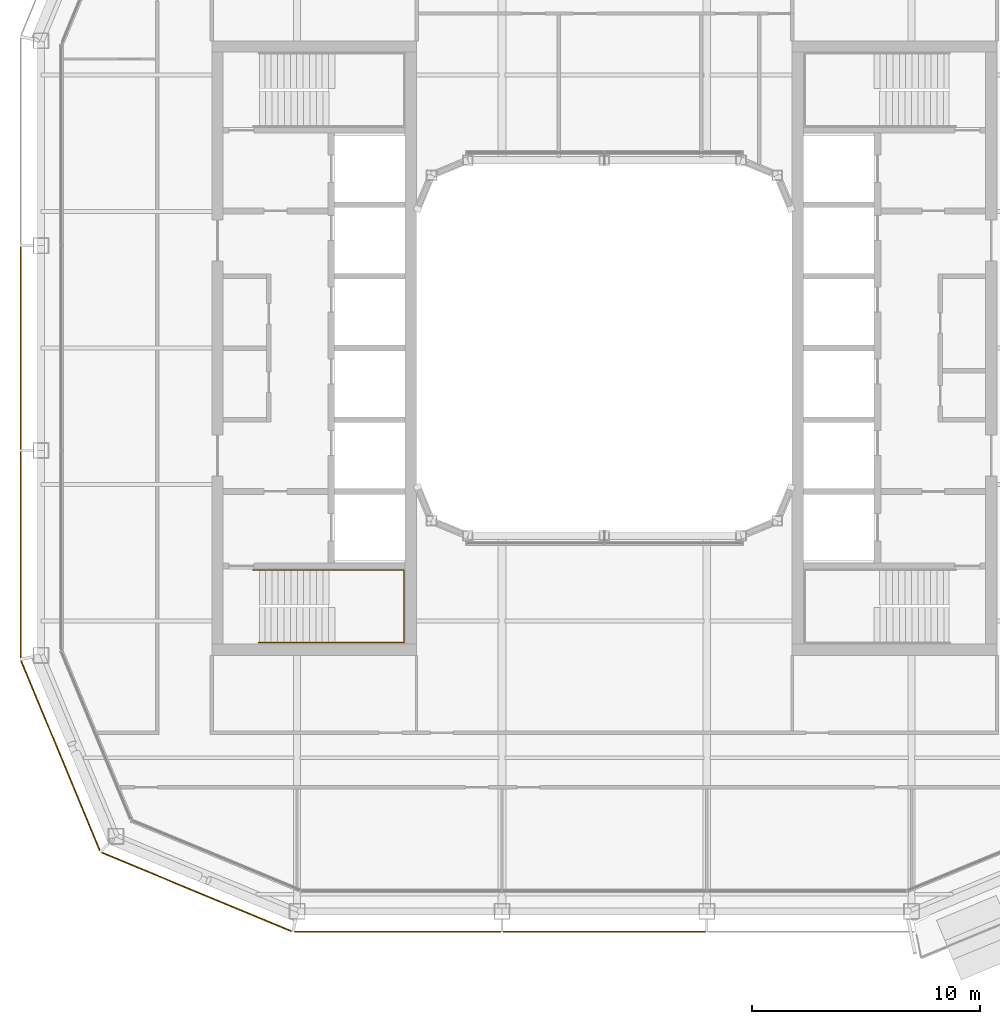
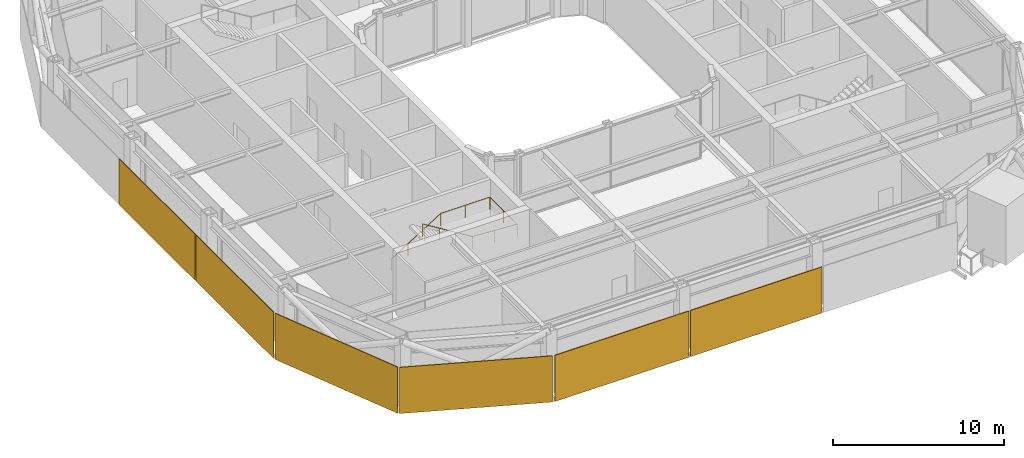
# One storey, part 17 of 21: 6 coverings, 1 railing.
"""IFC4 building model written with IfcOpenShell, lengths in metres."""

from ifc_helpers import new_model, si_unit, direction, frame, origin, origin_2d, place, context, subcontext, project, spatial, rectangle, circle, extrude, material, layer, layer_set, type_object, element, save


model = new_model("IFC4")

# Units and contexts
model_context = context("Model", 3, precision=1e-05, world=origin(), true_north=direction((0.0, 1.0)))
body_context = subcontext(model_context, "Body", "Model", "MODEL_VIEW")
ifc_project = project(units=[si_unit("LENGTHUNIT", "METRE"), si_unit("AREAUNIT", "SQUARE_METRE"), si_unit("VOLUMEUNIT", "CUBIC_METRE"), si_unit("PLANEANGLEUNIT", "RADIAN"), si_unit("MASSUNIT", "GRAM", prefix="KILO")], contexts=[model_context])

# Site, building, storey
site_placement = place(None, origin())
site = spatial("IfcSite", under=ifc_project, at=site_placement, CompositionType="ELEMENT")
building_placement = place(site_placement, origin())
building = spatial("IfcBuilding", under=site, at=building_placement, Name="Siwar Civic Tower", CompositionType="ELEMENT")
storey_placement = place(building_placement, frame((0.0, 0.0, 339.199951171875)))
storey = spatial("IfcBuildingStorey", under=building, at=storey_placement, Name="L73", CompositionType="ELEMENT", Elevation=339.199951171875)

# Railing
ifc_material_1 = material(Name="Stainless steel", Category="steel")
railing_type = type_object("IfcRailingType", Name="CORE-STAIR-HANDRAIL", PredefinedType="HANDRAIL", material=ifc_material_1)
railing_placement = place(storey_placement, frame((-15.449951171875, -9.758056640625, 0.173095703125)))
element("IfcRailing", 1, at=railing_placement, inside=storey, type_object=railing_type, Name="Stair handrail ST2", PredefinedType="HANDRAIL", context=body_context, shape_type="SweptSolid", body=[
    extrude(circle(Radius=0.02001953125, at=origin_2d()), frame((0.0, 0.0, 0.8798828125), z_axis=(0.847063342986, 0.0, 0.531491950051), x_axis=(0.0, 1.0, 0.0)), (0.0, 0.0, 1.0), 3.90771484375),
    extrude(circle(Radius=0.02001953125, at=origin_2d()), frame((3.31005859375, 0.0, 2.956787109375), z_axis=(1.0, 0.0, 0.0), x_axis=(0.0, 1.0, 0.0)), (0.0, 0.0, 1.0), 3.331787109375),
    extrude(circle(Radius=0.02001953125, at=origin_2d()), frame((6.641845703125, 0.0, 2.956787109375), z_axis=(0.0, -1.0, 0.0), x_axis=(1.0, 0.0, 0.0)), (0.0, 0.0, 1.0), 3.183837890625),
    extrude(circle(Radius=0.02001953125, at=origin_2d()), frame((6.641845703125, -3.183837890625, 2.956787109375), z_axis=(-0.99837434197, 0.0, 0.056997134106), x_axis=(0.0, -1.0, 0.0)), (0.0, 0.0, 1.0), 3.036865234375),
    extrude(circle(Radius=0.02001953125, at=origin_2d()), frame((3.60986328125, -3.183837890625, 3.1298828125), z_axis=(-0.850606129759, 0.0, 0.525803396734), x_axis=(0.0, -1.0, 0.0)), (0.0, 0.0, 1.0), 3.949951171875),
    extrude(circle(Radius=0.02001953125, at=origin_2d()), origin(), (0.0, 0.0, 1.0), 0.85986328125),
    extrude(circle(Radius=0.02001953125, at=origin_2d()), frame((1.103271484375, 0.0, 0.6923828125)), (0.0, 0.0, 1.0), 0.85986328125),
    extrude(circle(Radius=0.02001953125, at=origin_2d()), frame((2.206787109375, 0.0, 1.384521484375)), (0.0, 0.0, 1.0), 0.85986328125),
    extrude(circle(Radius=0.02001953125, at=origin_2d()), frame((3.31005859375, 0.0, 2.076904296875)), (0.0, 0.0, 1.0), 0.85986328125),
    extrude(circle(Radius=0.02001953125, at=origin_2d()), frame((4.97607421875, 0.0, 2.076904296875)), (0.0, 0.0, 1.0), 0.85986328125),
    extrude(circle(Radius=0.02001953125, at=origin_2d()), frame((6.641845703125, 0.0, 2.076904296875)), (0.0, 0.0, 1.0), 0.85986328125),
    extrude(circle(Radius=0.02001953125, at=origin_2d()), frame((6.641845703125, -1.591796875, 2.076904296875)), (0.0, 0.0, 1.0), 0.85986328125),
    extrude(circle(Radius=0.02001953125, at=origin_2d()), frame((6.641845703125, -3.183837890625, 2.076904296875)), (0.0, 0.0, 1.0), 0.85986328125),
    extrude(circle(Radius=0.02001953125, at=origin_2d()), frame((5.1259765625, -3.183837890625, 2.16357421875)), (0.0, 0.0, 1.0), 0.85986328125),
    extrude(circle(Radius=0.02001953125, at=origin_2d()), frame((3.60986328125, -3.183837890625, 2.25)), (0.0, 0.0, 1.0), 0.85986328125),
    extrude(circle(Radius=0.02001953125, at=origin_2d()), frame((2.489990234375, -3.183837890625, 2.9423828125)), (0.0, 0.0, 1.0), 0.85986328125),
    extrude(circle(Radius=0.02001953125, at=origin_2d()), frame((1.369873046875, -3.183837890625, 3.634521484375)), (0.0, 0.0, 1.0), 0.85986328125),
    extrude(circle(Radius=0.02001953125, at=origin_2d()), frame((0.25, -3.183837890625, 4.326904296875)), (0.0, 0.0, 1.0), 0.85986328125),
])

# Coverings
ifc_material_2 = material(Name="Perforated aluminium cassette, pale metal", Category="aluminium")
ifc_layer_1 = layer(ifc_material_2, 0.050048828125)
ifc_layer_set_1 = layer_set([ifc_layer_1], Name="Perforated aluminium cassette, pale metal")
covering_type_1 = type_object("IfcCoveringType", Name="ENV-OUTER SKIN OS-3", PredefinedType="CLADDING", material=ifc_layer_set_1)
covering_1_placement = place(storey_placement, frame((-25.64990234375, 0.0, -0.14990234375), z_axis=(0.0, 0.0, 1.0), x_axis=(0.0, -1.0, 0.0)))
element("IfcCovering", 2, at=covering_1_placement, inside=storey, type_object=covering_type_1, Name="OUTER SKIN OS-3 W 2", PredefinedType="CLADDING", context=body_context, shape_type="SweptSolid", body=[
    extrude(rectangle(XDim=8.89990234375, YDim=0.050048828125, at=origin_2d()), origin(), (0.0, 0.0, 1.0), 3.300048828125),
])
covering_2_placement = place(storey_placement, frame((-25.64990234375, -9.07958984375, -0.14990234375), z_axis=(0.0, 0.0, 1.0), x_axis=(0.0, -1.0, 0.0)))
element("IfcCovering", 3, at=covering_2_placement, inside=storey, type_object=covering_type_1, Name="OUTER SKIN OS-3 W 3", PredefinedType="CLADDING", context=body_context, shape_type="SweptSolid", body=[
    extrude(rectangle(XDim=9.05908203125, YDim=0.050048828125, at=origin_2d()), origin(), (0.0, 0.0, 1.0), 3.300048828125),
])
ifc_material_3 = material(Name="Perforated aluminium cassette, pale metal", Category="aluminium")
ifc_layer_2 = layer(ifc_material_3, 0.054931640625)
ifc_layer_set_2 = layer_set([ifc_layer_2], Name="Perforated aluminium cassette, pale metal")
covering_type_2 = type_object("IfcCoveringType", Name="ENV-OUTER SKIN OS-4", PredefinedType="CLADDING", material=ifc_layer_set_2)
covering_3_placement = place(storey_placement, frame((-9.07958984375, -25.64990234375, -0.14990234375), z_axis=(0.0, 0.0, 1.0), x_axis=(1.0, 0.0, 0.0)))
element("IfcCovering", 4, at=covering_3_placement, inside=storey, type_object=covering_type_2, Name="OUTER SKIN OS-4 S 1", PredefinedType="CLADDING", context=body_context, shape_type="SweptSolid", body=[
    extrude(rectangle(XDim=9.05908203125, YDim=0.054931640625, at=origin_2d()), origin(), (0.0, 0.0, 1.0), 3.300048828125),
])
covering_4_placement = place(storey_placement, frame((0.0, -25.64990234375, -0.14990234375), z_axis=(0.0, 0.0, 1.0), x_axis=(1.0, 0.0, 0.0)))
element("IfcCovering", 5, at=covering_4_placement, inside=storey, type_object=covering_type_2, Name="OUTER SKIN OS-4 S 2", PredefinedType="CLADDING", context=body_context, shape_type="SweptSolid", body=[
    extrude(rectangle(XDim=8.89990234375, YDim=0.054931640625, at=origin_2d()), origin(), (0.0, 0.0, 1.0), 3.300048828125),
])
for number, where, z_axis, x_axis, name in (
    (6, (-23.89697265625, -17.911376953125, -0.14990234375), (0.0, 0.0, 1.0), (0.382683432365, -0.923879532511, 0.0), "OUTER SKIN OS-4 SW1 1"),
    (7, (-17.911376953125, -23.89697265625, -0.14990234375), (0.0, 0.0, 1.0), (0.923879532511, -0.382683432365, 0.0), "OUTER SKIN OS-4 SW2 1"),
):
    element("IfcCovering", number, at=place(storey_placement, frame(where, z_axis=z_axis, x_axis=x_axis)), inside=storey, type_object=covering_type_2, Name=name, PredefinedType="CLADDING", context=body_context, shape_type="SweptSolid", body=[
        extrude(rectangle(XDim=9.022216796875, YDim=0.054931640625, at=origin_2d()), origin(), (0.0, 0.0, 1.0), 3.300048828125),
    ])

save(model, "model.ifc")
